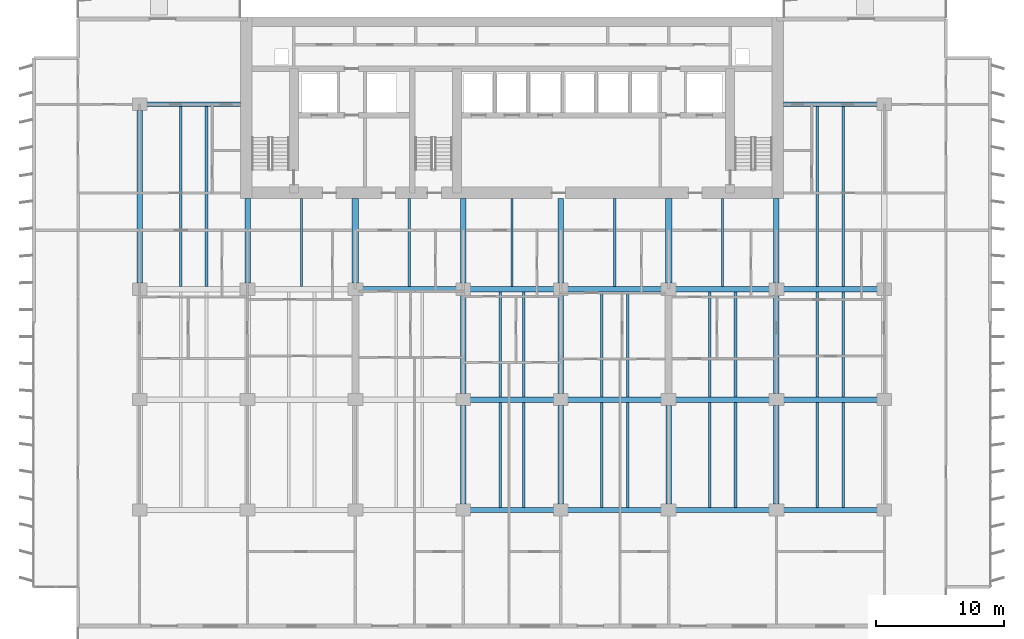
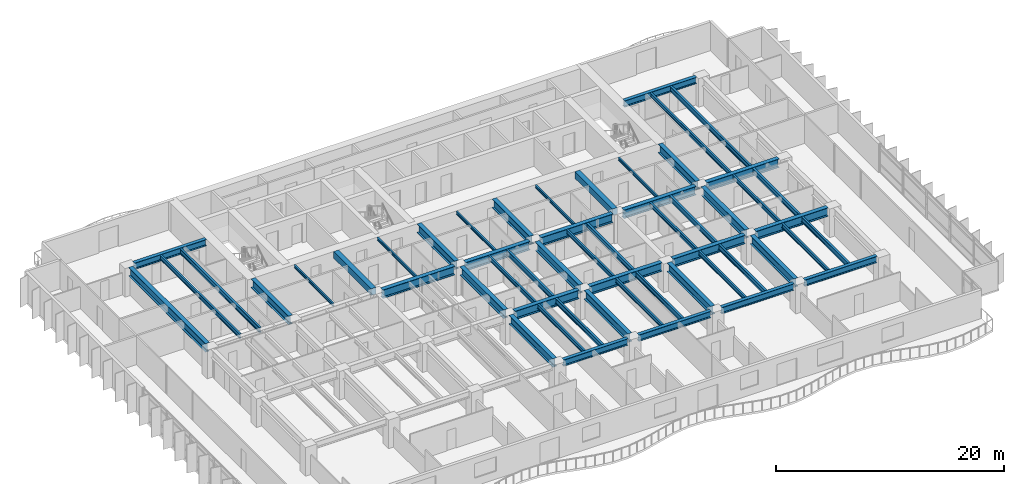
# One storey, part 3 of 18: 54 beams.
"""IFC4 building model written with IfcOpenShell, lengths in metres."""

from ifc_helpers import new_model, si_unit, direction, frame, origin, origin_2d, place, context, subcontext, project, spatial, rectangle, i_section, extrude, material, material_profile, profile_set, type_object, element, save


model = new_model("IFC4")

# Units and contexts
model_context = context("Model", 3, precision=1e-05, world=origin(), true_north=direction((0.0, 1.0)))
body_context = subcontext(model_context, "Body", "Model", "MODEL_VIEW")
ifc_project = project(units=[si_unit("LENGTHUNIT", "METRE"), si_unit("AREAUNIT", "SQUARE_METRE"), si_unit("VOLUMEUNIT", "CUBIC_METRE"), si_unit("PLANEANGLEUNIT", "RADIAN"), si_unit("MASSUNIT", "GRAM", prefix="KILO")], contexts=[model_context])

# Site, building, storey
site_placement = place(None, origin())
site = spatial("IfcSite", under=ifc_project, at=site_placement, CompositionType="ELEMENT")
building_placement = place(site_placement, origin())
building = spatial("IfcBuilding", under=site, at=building_placement, Name="Caelmar Bay Residences", CompositionType="ELEMENT")
storey_placement = place(building_placement, frame((0.0, 0.0, 46.5)))
storey = spatial("IfcBuildingStorey", under=building, at=storey_placement, Name="L11", CompositionType="ELEMENT", Elevation=46.5)

# Beams
ifc_material_1 = material(Name="Steel ASTM A992 Grade 50", Category="steel")
ifc_material_profile_1 = material_profile(ifc_material_1, i_section(OverallWidth=0.422119140625, OverallDepth=0.925048828125, WebThickness=0.021240234375, FlangeThickness=0.03662109375, FilletRadius=0.020263671875, at=origin_2d()), Name="W36X262")
ifc_profile_set_1 = profile_set([ifc_material_profile_1], Name="Steel ASTM A992 Grade 50")
beam_type_1 = type_object("IfcBeamType", Name="BM-GRD-W36X262", PredefinedType="BEAM", material=ifc_profile_set_1)
beam_1_placement = place(storey_placement, frame((35.639892578125, 20.800048828125, 2.58740234375), z_axis=(1.0, 0.0, 0.0), x_axis=(0.0, 1.0, 0.0)))
element("IfcBeam", 1, at=beam_1_placement, inside=storey, type_object=beam_type_1, Name="L11 East-West Girder Y=20.80 (35.1-42.7)", PredefinedType="BEAM", context=body_context, shape_type="SweptSolid", body=[
    extrude(i_section(OverallWidth=0.422119140625, OverallDepth=0.925048828125, WebThickness=0.021240234375, FlangeThickness=0.03662109375, FilletRadius=0.020263671875, at=origin_2d()), origin(), (0.0, 0.0, 1.0), 6.52001953125),
])
for number, where, z_axis, x_axis, name in (
    (2, (43.239990234375, 20.800048828125, 2.58740234375), (1.0, 0.0, 0.0), (0.0, 1.0, 0.0), "L11 East-West Girder Y=20.80 (42.7-51.1)"),
    (3, (51.639892578125, 20.800048828125, 2.58740234375), (1.0, 0.0, 0.0), (0.0, 1.0, 0.0), "L11 East-West Girder Y=20.80 (51.1-59.5)"),
    (4, (60.0400390625, 20.800048828125, 2.58740234375), (1.0, 0.0, 0.0), (0.0, 1.0, 0.0), "L11 East-West Girder Y=20.80 (59.5-67.9)"),
    (5, (27.239990234375, 29.39990234375, 2.58740234375), (1.0, 0.0, 0.0), (0.0, 1.0, 0.0), "L11 East-West Girder Y=29.40 (26.7-35.1)"),
):
    element("IfcBeam", number, at=place(storey_placement, frame(where, z_axis=z_axis, x_axis=x_axis)), inside=storey, type_object=beam_type_1, Name=name, PredefinedType="BEAM", context=body_context, shape_type="SweptSolid", body=[
        extrude(i_section(OverallWidth=0.422119140625, OverallDepth=0.925048828125, WebThickness=0.021240234375, FlangeThickness=0.03662109375, FilletRadius=0.020263671875, at=origin_2d()), origin(), (0.0, 0.0, 1.0), 7.320068359375),
    ])
beam_2_placement = place(storey_placement, frame((35.639892578125, 29.39990234375, 2.58740234375), z_axis=(1.0, 0.0, 0.0), x_axis=(0.0, 1.0, 0.0)))
element("IfcBeam", 6, at=beam_2_placement, inside=storey, type_object=beam_type_1, Name="L11 East-West Girder Y=29.40 (35.1-42.7)", PredefinedType="BEAM", context=body_context, shape_type="SweptSolid", body=[
    extrude(i_section(OverallWidth=0.422119140625, OverallDepth=0.925048828125, WebThickness=0.021240234375, FlangeThickness=0.03662109375, FilletRadius=0.020263671875, at=origin_2d()), origin(), (0.0, 0.0, 1.0), 6.52001953125),
])
for number, where, z_axis, x_axis, name in (
    (7, (43.239990234375, 29.39990234375, 2.58740234375), (1.0, 0.0, 0.0), (0.0, 1.0, 0.0), "L11 East-West Girder Y=29.40 (42.7-51.1)"),
    (8, (51.639892578125, 29.39990234375, 2.58740234375), (1.0, 0.0, 0.0), (0.0, 1.0, 0.0), "L11 East-West Girder Y=29.40 (51.1-59.5)"),
    (9, (60.0400390625, 29.39990234375, 2.58740234375), (1.0, 0.0, 0.0), (0.0, 1.0, 0.0), "L11 East-West Girder Y=29.40 (59.5-67.9)"),
):
    element("IfcBeam", number, at=place(storey_placement, frame(where, z_axis=z_axis, x_axis=x_axis)), inside=storey, type_object=beam_type_1, Name=name, PredefinedType="BEAM", context=body_context, shape_type="SweptSolid", body=[
        extrude(i_section(OverallWidth=0.422119140625, OverallDepth=0.925048828125, WebThickness=0.021240234375, FlangeThickness=0.03662109375, FilletRadius=0.020263671875, at=origin_2d()), origin(), (0.0, 0.0, 1.0), 7.320068359375),
    ])
beam_3_placement = place(storey_placement, frame((9.89990234375, 29.864990234375, 2.58740234375), z_axis=(0.0, 1.0, 0.0), x_axis=(-1.0, 0.0, 0.0)))
element("IfcBeam", 10, at=beam_3_placement, inside=storey, type_object=beam_type_1, Name="L11 North-South Girder X=9.90 (29.4-43.8)", PredefinedType="BEAM", context=body_context, shape_type="SweptSolid", body=[
    extrude(i_section(OverallWidth=0.422119140625, OverallDepth=0.925048828125, WebThickness=0.021240234375, FlangeThickness=0.03662109375, FilletRadius=0.020263671875, at=origin_2d()), origin(), (0.0, 0.0, 1.0), 13.469970703125),
])
for number, where, z_axis, x_axis, name in (
    (11, (18.300048828125, 29.864990234375, 2.58740234375), (0.0, 1.0, 0.0), (-1.0, 0.0, 0.0), "L11 Core Tie Girder X=18.30"),
    (12, (35.10009765625, 29.864990234375, 2.58740234375), (0.0, 1.0, 0.0), (-1.0, 0.0, 0.0), "L11 Core Tie Girder X=35.10"),
):
    element("IfcBeam", number, at=place(storey_placement, frame(where, z_axis=z_axis, x_axis=x_axis)), inside=storey, type_object=beam_type_1, Name=name, PredefinedType="BEAM", context=body_context, shape_type="SweptSolid", body=[
        extrude(i_section(OverallWidth=0.422119140625, OverallDepth=0.925048828125, WebThickness=0.021240234375, FlangeThickness=0.03662109375, FilletRadius=0.020263671875, at=origin_2d()), origin(), (0.0, 0.0, 1.0), 6.5849609375),
    ])
beam_4_placement = place(storey_placement, frame((35.10009765625, 12.6650390625, 2.58740234375), z_axis=(0.0, 1.0, 0.0), x_axis=(-1.0, 0.0, 0.0)))
element("IfcBeam", 13, at=beam_4_placement, inside=storey, type_object=beam_type_1, Name="L11 North-South Girder X=35.10 (12.2-20.8)", PredefinedType="BEAM", context=body_context, shape_type="SweptSolid", body=[
    extrude(i_section(OverallWidth=0.422119140625, OverallDepth=0.925048828125, WebThickness=0.021240234375, FlangeThickness=0.03662109375, FilletRadius=0.020263671875, at=origin_2d()), origin(), (0.0, 0.0, 1.0), 7.669921875),
])
beam_5_placement = place(storey_placement, frame((35.10009765625, 21.264892578125, 2.58740234375), z_axis=(0.0, 1.0, 0.0), x_axis=(-1.0, 0.0, 0.0)))
element("IfcBeam", 14, at=beam_5_placement, inside=storey, type_object=beam_type_1, Name="L11 North-South Girder X=35.10 (20.8-29.4)", PredefinedType="BEAM", context=body_context, shape_type="SweptSolid", body=[
    extrude(i_section(OverallWidth=0.422119140625, OverallDepth=0.925048828125, WebThickness=0.021240234375, FlangeThickness=0.03662109375, FilletRadius=0.020263671875, at=origin_2d()), origin(), (0.0, 0.0, 1.0), 7.670166015625),
])
beam_6_placement = place(storey_placement, frame((42.699951171875, 29.864990234375, 2.58740234375), z_axis=(0.0, 1.0, 0.0), x_axis=(-1.0, 0.0, 0.0)))
element("IfcBeam", 15, at=beam_6_placement, inside=storey, type_object=beam_type_1, Name="L11 Core Tie Girder X=42.70", PredefinedType="BEAM", context=body_context, shape_type="SweptSolid", body=[
    extrude(i_section(OverallWidth=0.422119140625, OverallDepth=0.925048828125, WebThickness=0.021240234375, FlangeThickness=0.03662109375, FilletRadius=0.020263671875, at=origin_2d()), origin(), (0.0, 0.0, 1.0), 6.5849609375),
])
beam_7_placement = place(storey_placement, frame((42.699951171875, 12.6650390625, 2.58740234375), z_axis=(0.0, 1.0, 0.0), x_axis=(-1.0, 0.0, 0.0)))
element("IfcBeam", 16, at=beam_7_placement, inside=storey, type_object=beam_type_1, Name="L11 North-South Girder X=42.70 (12.2-20.8)", PredefinedType="BEAM", context=body_context, shape_type="SweptSolid", body=[
    extrude(i_section(OverallWidth=0.422119140625, OverallDepth=0.925048828125, WebThickness=0.021240234375, FlangeThickness=0.03662109375, FilletRadius=0.020263671875, at=origin_2d()), origin(), (0.0, 0.0, 1.0), 7.669921875),
])
beam_8_placement = place(storey_placement, frame((42.699951171875, 21.264892578125, 2.58740234375), z_axis=(0.0, 1.0, 0.0), x_axis=(-1.0, 0.0, 0.0)))
element("IfcBeam", 17, at=beam_8_placement, inside=storey, type_object=beam_type_1, Name="L11 North-South Girder X=42.70 (20.8-29.4)", PredefinedType="BEAM", context=body_context, shape_type="SweptSolid", body=[
    extrude(i_section(OverallWidth=0.422119140625, OverallDepth=0.925048828125, WebThickness=0.021240234375, FlangeThickness=0.03662109375, FilletRadius=0.020263671875, at=origin_2d()), origin(), (0.0, 0.0, 1.0), 7.670166015625),
])
beam_9_placement = place(storey_placement, frame((51.10009765625, 12.6650390625, 2.58740234375), z_axis=(0.0, 1.0, 0.0), x_axis=(-1.0, 0.0, 0.0)))
element("IfcBeam", 18, at=beam_9_placement, inside=storey, type_object=beam_type_1, Name="L11 North-South Girder X=51.10 (12.2-20.8)", PredefinedType="BEAM", context=body_context, shape_type="SweptSolid", body=[
    extrude(i_section(OverallWidth=0.422119140625, OverallDepth=0.925048828125, WebThickness=0.021240234375, FlangeThickness=0.03662109375, FilletRadius=0.020263671875, at=origin_2d()), origin(), (0.0, 0.0, 1.0), 7.669921875),
])
beam_10_placement = place(storey_placement, frame((59.5, 29.864990234375, 2.58740234375), z_axis=(0.0, 1.0, 0.0), x_axis=(-1.0, 0.0, 0.0)))
element("IfcBeam", 19, at=beam_10_placement, inside=storey, type_object=beam_type_1, Name="L11 Core Tie Girder X=59.50", PredefinedType="BEAM", context=body_context, shape_type="SweptSolid", body=[
    extrude(i_section(OverallWidth=0.422119140625, OverallDepth=0.925048828125, WebThickness=0.021240234375, FlangeThickness=0.03662109375, FilletRadius=0.020263671875, at=origin_2d()), origin(), (0.0, 0.0, 1.0), 6.5849609375),
])
beam_11_placement = place(storey_placement, frame((59.5, 12.6650390625, 2.58740234375), z_axis=(0.0, 1.0, 0.0), x_axis=(-1.0, 0.0, 0.0)))
element("IfcBeam", 20, at=beam_11_placement, inside=storey, type_object=beam_type_1, Name="L11 North-South Girder X=59.50 (12.2-20.8)", PredefinedType="BEAM", context=body_context, shape_type="SweptSolid", body=[
    extrude(i_section(OverallWidth=0.422119140625, OverallDepth=0.925048828125, WebThickness=0.021240234375, FlangeThickness=0.03662109375, FilletRadius=0.020263671875, at=origin_2d()), origin(), (0.0, 0.0, 1.0), 7.669921875),
])
beam_12_placement = place(storey_placement, frame((59.5, 21.264892578125, 2.58740234375), z_axis=(0.0, 1.0, 0.0), x_axis=(-1.0, 0.0, 0.0)))
element("IfcBeam", 21, at=beam_12_placement, inside=storey, type_object=beam_type_1, Name="L11 North-South Girder X=59.50 (20.8-29.4)", PredefinedType="BEAM", context=body_context, shape_type="SweptSolid", body=[
    extrude(i_section(OverallWidth=0.422119140625, OverallDepth=0.925048828125, WebThickness=0.021240234375, FlangeThickness=0.03662109375, FilletRadius=0.020263671875, at=origin_2d()), origin(), (0.0, 0.0, 1.0), 7.670166015625),
])
ifc_material_profile_2 = material_profile(ifc_material_1, i_section(OverallWidth=0.1650390625, OverallDepth=0.31005859375, WebThickness=0.005859375, FlangeThickness=0.009765625, FilletRadius=0.007568359375, at=origin_2d()), Name="W12X26")
ifc_profile_set_2 = profile_set([ifc_material_profile_2], Name="Steel ASTM A992 Grade 50")
beam_type_2 = type_object("IfcBeamType", Name="BM-JST-W12X26", PredefinedType="JOIST", material=ifc_profile_set_2)
for number, where, z_axis, x_axis, name in (
    (22, (22.5, 29.611083984375, 2.89501953125), (0.0, 1.0, 0.0), (-1.0, 0.0, 0.0), "L11 Core-Band Composite Joist 29"),
    (23, (30.89990234375, 29.611083984375, 2.89501953125), (0.0, 1.0, 0.0), (-1.0, 0.0, 0.0), "L11 Core-Band Composite Joist 30"),
    (24, (38.89990234375, 29.611083984375, 2.89501953125), (0.0, 1.0, 0.0), (-1.0, 0.0, 0.0), "L11 Core-Band Composite Joist 31"),
    (25, (46.89990234375, 29.611083984375, 2.89501953125), (0.0, 1.0, 0.0), (-1.0, 0.0, 0.0), "L11 Core-Band Composite Joist 32"),
    (26, (55.300048828125, 29.611083984375, 2.89501953125), (0.0, 1.0, 0.0), (-1.0, 0.0, 0.0), "L11 Core-Band Composite Joist 33"),
):
    element("IfcBeam", number, at=place(storey_placement, frame(where, z_axis=z_axis, x_axis=x_axis)), inside=storey, type_object=beam_type_2, Name=name, PredefinedType="JOIST", context=body_context, shape_type="SweptSolid", body=[
        extrude(i_section(OverallWidth=0.1650390625, OverallDepth=0.31005859375, WebThickness=0.005859375, FlangeThickness=0.009765625, FilletRadius=0.007568359375, at=origin_2d()), origin(), (0.0, 0.0, 1.0), 6.8388671875),
    ])
ifc_material_profile_3 = material_profile(ifc_material_1, i_section(OverallWidth=0.19091796875, OverallDepth=0.45703125, WebThickness=0.009033203125, FlangeThickness=0.014404296875, FilletRadius=0.01025390625, at=origin_2d()), Name="W18X50")
ifc_profile_set_3 = profile_set([ifc_material_profile_3], Name="Steel ASTM A992 Grade 50")
beam_type_3 = type_object("IfcBeamType", Name="BM-JST-W18X50", PredefinedType="JOIST", material=ifc_profile_set_3)
for number, where, z_axis, x_axis, name in (
    (27, (37.988037109375, 12.3779296875, 2.821533203125), (0.0, 1.0, 0.0), (-1.0, 0.0, 0.0), "L11 Composite Floor Joist 7"),
    (28, (45.89208984375, 12.3779296875, 2.821533203125), (0.0, 1.0, 0.0), (-1.0, 0.0, 0.0), "L11 Composite Floor Joist 9"),
    (29, (54.2919921875, 12.3779296875, 2.821533203125), (0.0, 1.0, 0.0), (-1.0, 0.0, 0.0), "L11 Composite Floor Joist 11"),
    (30, (62.69189453125, 12.3779296875, 2.821533203125), (0.0, 1.0, 0.0), (-1.0, 0.0, 0.0), "L11 Composite Floor Joist 13"),
):
    element("IfcBeam", number, at=place(storey_placement, frame(where, z_axis=z_axis, x_axis=x_axis)), inside=storey, type_object=beam_type_3, Name=name, PredefinedType="JOIST", context=body_context, shape_type="SweptSolid", body=[
        extrude(i_section(OverallWidth=0.19091796875, OverallDepth=0.45703125, WebThickness=0.009033203125, FlangeThickness=0.014404296875, FilletRadius=0.01025390625, at=origin_2d()), origin(), (0.0, 0.0, 1.0), 8.211181640625),
    ])
for number, where, z_axis, x_axis, name in (
    (31, (37.988037109375, 21.010986328125, 2.821533203125), (0.0, 1.0, 0.0), (-1.0, 0.0, 0.0), "L11 Composite Floor Joist 21"),
    (32, (45.89208984375, 21.010986328125, 2.821533203125), (0.0, 1.0, 0.0), (-1.0, 0.0, 0.0), "L11 Composite Floor Joist 23"),
    (33, (54.2919921875, 21.010986328125, 2.821533203125), (0.0, 1.0, 0.0), (-1.0, 0.0, 0.0), "L11 Composite Floor Joist 25"),
    (34, (62.69189453125, 21.010986328125, 2.821533203125), (0.0, 1.0, 0.0), (-1.0, 0.0, 0.0), "L11 Composite Floor Joist 27"),
):
    element("IfcBeam", number, at=place(storey_placement, frame(where, z_axis=z_axis, x_axis=x_axis)), inside=storey, type_object=beam_type_3, Name=name, PredefinedType="JOIST", context=body_context, shape_type="SweptSolid", body=[
        extrude(i_section(OverallWidth=0.19091796875, OverallDepth=0.45703125, WebThickness=0.009033203125, FlangeThickness=0.014404296875, FilletRadius=0.01025390625, at=origin_2d()), origin(), (0.0, 0.0, 1.0), 8.177978515625),
    ])
for number, where, z_axis, x_axis, name in (
    (35, (13.092041015625, 29.611083984375, 2.821533203125), (0.0, 1.0, 0.0), (-1.0, 0.0, 0.0), "L11 Composite Floor Joist 34"),
    (36, (62.69189453125, 29.611083984375, 2.821533203125), (0.0, 1.0, 0.0), (-1.0, 0.0, 0.0), "L11 Composite Floor Joist 36"),
):
    element("IfcBeam", number, at=place(storey_placement, frame(where, z_axis=z_axis, x_axis=x_axis)), inside=storey, type_object=beam_type_3, Name=name, PredefinedType="JOIST", context=body_context, shape_type="SweptSolid", body=[
        extrude(i_section(OverallWidth=0.19091796875, OverallDepth=0.45703125, WebThickness=0.009033203125, FlangeThickness=0.014404296875, FilletRadius=0.01025390625, at=origin_2d()), origin(), (0.0, 0.0, 1.0), 14.010986328125),
    ])
ifc_material_profile_4 = material_profile(ifc_material_1, i_section(OverallWidth=0.214111328125, OverallDepth=0.549072265625, WebThickness=0.0146484375, FlangeThickness=0.023681640625, FilletRadius=0.0126953125, at=origin_2d()), Name="W21X93")
ifc_profile_set_4 = profile_set([ifc_material_profile_4], Name="Steel ASTM A992 Grade 50")
beam_type_4 = type_object("IfcBeamType", Name="BM-JST-W21X93", PredefinedType="JOIST", material=ifc_profile_set_4)
for number, where, z_axis, x_axis, name in (
    (37, (39.81201171875, 12.3779296875, 2.775390625), (0.0, 1.0, 0.0), (-1.0, 0.0, 0.0), "L11 Composite Floor Joist 8"),
    (38, (47.907958984375, 12.3779296875, 2.775390625), (0.0, 1.0, 0.0), (-1.0, 0.0, 0.0), "L11 Composite Floor Joist 10"),
    (39, (56.30810546875, 12.3779296875, 2.775390625), (0.0, 1.0, 0.0), (-1.0, 0.0, 0.0), "L11 Composite Floor Joist 12"),
    (40, (64.7080078125, 12.3779296875, 2.775390625), (0.0, 1.0, 0.0), (-1.0, 0.0, 0.0), "L11 Composite Floor Joist 14"),
):
    element("IfcBeam", number, at=place(storey_placement, frame(where, z_axis=z_axis, x_axis=x_axis)), inside=storey, type_object=beam_type_4, Name=name, PredefinedType="JOIST", context=body_context, shape_type="SweptSolid", body=[
        extrude(i_section(OverallWidth=0.214111328125, OverallDepth=0.549072265625, WebThickness=0.0146484375, FlangeThickness=0.023681640625, FilletRadius=0.0126953125, at=origin_2d()), origin(), (0.0, 0.0, 1.0), 8.211181640625),
    ])
for number, where, z_axis, x_axis, name in (
    (41, (39.81201171875, 21.010986328125, 2.775390625), (0.0, 1.0, 0.0), (-1.0, 0.0, 0.0), "L11 Composite Floor Joist 22"),
    (42, (47.907958984375, 21.010986328125, 2.775390625), (0.0, 1.0, 0.0), (-1.0, 0.0, 0.0), "L11 Composite Floor Joist 24"),
    (43, (56.30810546875, 21.010986328125, 2.775390625), (0.0, 1.0, 0.0), (-1.0, 0.0, 0.0), "L11 Composite Floor Joist 26"),
    (44, (64.7080078125, 21.010986328125, 2.775390625), (0.0, 1.0, 0.0), (-1.0, 0.0, 0.0), "L11 Composite Floor Joist 28"),
):
    element("IfcBeam", number, at=place(storey_placement, frame(where, z_axis=z_axis, x_axis=x_axis)), inside=storey, type_object=beam_type_4, Name=name, PredefinedType="JOIST", context=body_context, shape_type="SweptSolid", body=[
        extrude(i_section(OverallWidth=0.214111328125, OverallDepth=0.549072265625, WebThickness=0.0146484375, FlangeThickness=0.023681640625, FilletRadius=0.0126953125, at=origin_2d()), origin(), (0.0, 0.0, 1.0), 8.177978515625),
    ])
for number, where, z_axis, x_axis, name in (
    (45, (15.10791015625, 29.611083984375, 2.775390625), (0.0, 1.0, 0.0), (-1.0, 0.0, 0.0), "L11 Composite Floor Joist 35"),
    (46, (64.7080078125, 29.611083984375, 2.775390625), (0.0, 1.0, 0.0), (-1.0, 0.0, 0.0), "L11 Composite Floor Joist 37"),
):
    element("IfcBeam", number, at=place(storey_placement, frame(where, z_axis=z_axis, x_axis=x_axis)), inside=storey, type_object=beam_type_4, Name=name, PredefinedType="JOIST", context=body_context, shape_type="SweptSolid", body=[
        extrude(i_section(OverallWidth=0.214111328125, OverallDepth=0.549072265625, WebThickness=0.0146484375, FlangeThickness=0.023681640625, FilletRadius=0.0126953125, at=origin_2d()), origin(), (0.0, 0.0, 1.0), 14.010986328125),
    ])
ifc_material_2 = material(Name="Concrete f'c 55 MPa (8,000 psi)", Category="concrete")
ifc_material_profile_5 = material_profile(ifc_material_2, rectangle(XDim=0.5, YDim=0.699951171875, at=origin_2d()), Name="RC-BM-500X700")
ifc_profile_set_5 = profile_set([ifc_material_profile_5], Name="Concrete f'c 55 MPa (8,000 psi)")
beam_type_5 = type_object("IfcBeamType", Name="BM-RC-500X700", PredefinedType="LINTEL", material=ifc_profile_set_5)
for number, where, z_axis, x_axis, name in (
    (47, (26.699951171875, 29.864990234375, 2.699951171875), (0.0, 1.0, 0.0), (-1.0, 0.0, 0.0), "L11 Shear-Wall Corridor Coupling Lintel W5"),
    (48, (51.10009765625, 29.864990234375, 2.699951171875), (0.0, 1.0, 0.0), (-1.0, 0.0, 0.0), "L11 Shear-Wall Corridor Coupling Lintel E8"),
):
    element("IfcBeam", number, at=place(storey_placement, frame(where, z_axis=z_axis, x_axis=x_axis)), inside=storey, type_object=beam_type_5, Name=name, PredefinedType="LINTEL", context=body_context, shape_type="SweptSolid", body=[
        extrude(rectangle(XDim=0.5, YDim=0.699951171875, at=origin_2d()), origin(), (0.0, 0.0, 1.0), 6.5849609375),
    ])
ifc_material_profile_6 = material_profile(ifc_material_1, i_section(OverallWidth=0.35595703125, OverallDepth=0.696044921875, WebThickness=0.015380859375, FlangeThickness=0.02490234375, FilletRadius=0.01513671875, at=origin_2d()), Name="W27X146")
ifc_profile_set_6 = profile_set([ifc_material_profile_6], Name="Steel ASTM A992 Grade 50")
beam_type_6 = type_object("IfcBeamType", Name="BM-SPN-W27X146", PredefinedType="SPANDREL", material=ifc_profile_set_6)
beam_13_placement = place(storey_placement, frame((35.639892578125, 12.199951171875, 2.701904296875), z_axis=(1.0, 0.0, 0.0), x_axis=(0.0, 1.0, 0.0)))
element("IfcBeam", 49, at=beam_13_placement, inside=storey, type_object=beam_type_6, Name="L11 East-West Girder Y=12.20 (35.1-42.7)", PredefinedType="SPANDREL", context=body_context, shape_type="SweptSolid", body=[
    extrude(i_section(OverallWidth=0.35595703125, OverallDepth=0.696044921875, WebThickness=0.015380859375, FlangeThickness=0.02490234375, FilletRadius=0.01513671875, at=origin_2d()), origin(), (0.0, 0.0, 1.0), 6.52001953125),
])
for number, where, z_axis, x_axis, name in (
    (50, (43.239990234375, 12.199951171875, 2.701904296875), (1.0, 0.0, 0.0), (0.0, 1.0, 0.0), "L11 East-West Girder Y=12.20 (42.7-51.1)"),
    (51, (51.639892578125, 12.199951171875, 2.701904296875), (1.0, 0.0, 0.0), (0.0, 1.0, 0.0), "L11 East-West Girder Y=12.20 (51.1-59.5)"),
    (52, (60.0400390625, 12.199951171875, 2.701904296875), (1.0, 0.0, 0.0), (0.0, 1.0, 0.0), "L11 East-West Girder Y=12.20 (59.5-67.9)"),
):
    element("IfcBeam", number, at=place(storey_placement, frame(where, z_axis=z_axis, x_axis=x_axis)), inside=storey, type_object=beam_type_6, Name=name, PredefinedType="SPANDREL", context=body_context, shape_type="SweptSolid", body=[
        extrude(i_section(OverallWidth=0.35595703125, OverallDepth=0.696044921875, WebThickness=0.015380859375, FlangeThickness=0.02490234375, FilletRadius=0.01513671875, at=origin_2d()), origin(), (0.0, 0.0, 1.0), 7.320068359375),
    ])
for number, where, z_axis, x_axis, name in (
    (53, (10.43994140625, 43.800048828125, 2.701904296875), (1.0, 0.0, 0.0), (0.0, 1.0, 0.0), "L11 North-West Wing Core Tie Girder"),
    (54, (60.050048828125, 43.800048828125, 2.701904296875), (1.0, 0.0, 0.0), (0.0, 1.0, 0.0), "L11 North-East Wing Core Tie Girder"),
):
    element("IfcBeam", number, at=place(storey_placement, frame(where, z_axis=z_axis, x_axis=x_axis)), inside=storey, type_object=beam_type_6, Name=name, PredefinedType="SPANDREL", context=body_context, shape_type="SweptSolid", body=[
        extrude(i_section(OverallWidth=0.35595703125, OverallDepth=0.696044921875, WebThickness=0.015380859375, FlangeThickness=0.02490234375, FilletRadius=0.01513671875, at=origin_2d()), origin(), (0.0, 0.0, 1.0), 7.31005859375),
    ])

save(model, "model.ifc")
